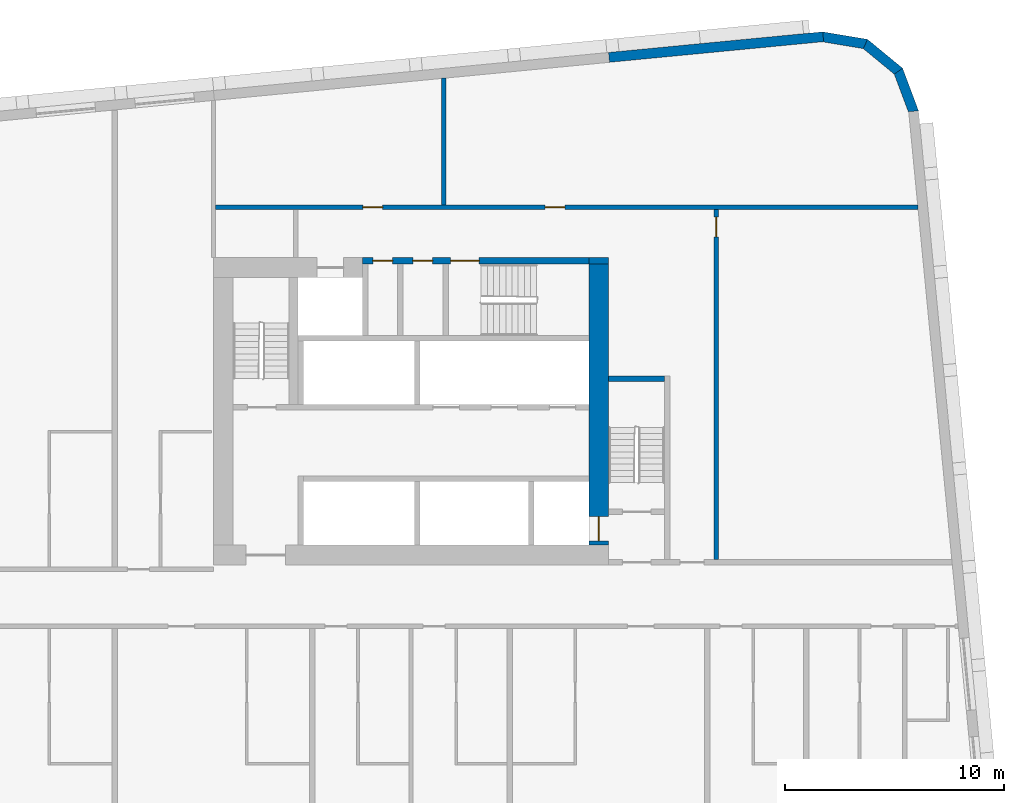
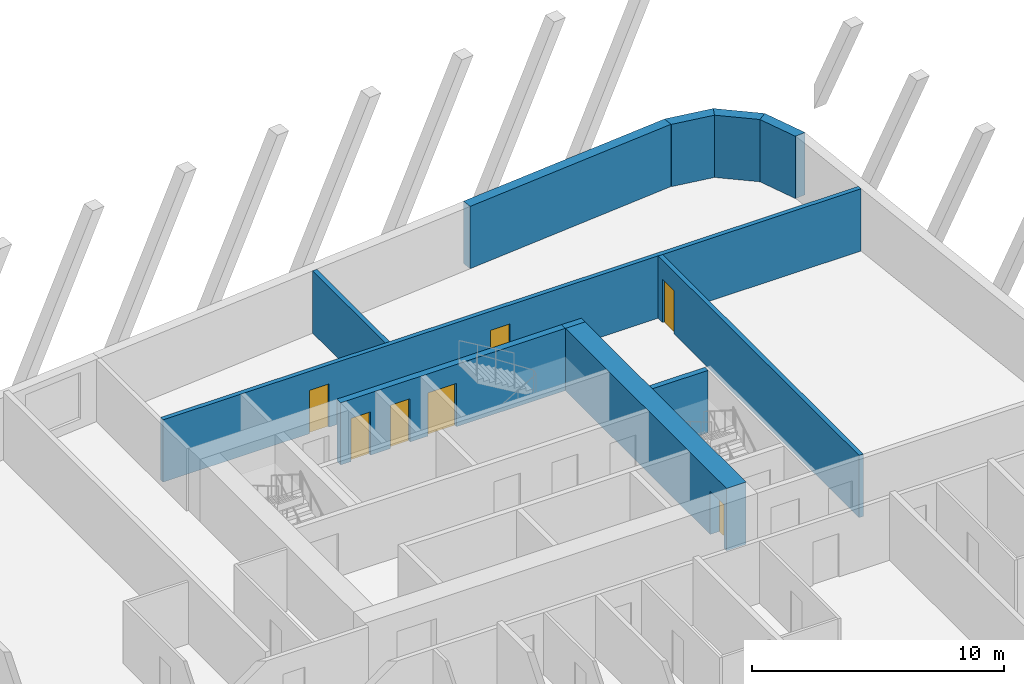
# One storey, part 8 of 13: 11 walls, 7 doors, 7 openings.
"""IFC4 building model written with IfcOpenShell, lengths in metres."""

from ifc_helpers import new_model, si_unit, direction, frame, frame_2d, origin, place, context, subcontext, project, spatial, polyline, rectangle, outline, extrude, material, layer, layer_set, type_object, element, fill, save


model = new_model("IFC4")

# Units and contexts
model_context = context("Model", 3, precision=1e-05, world=origin(), true_north=direction((0.0, 1.0)))
body_context = subcontext(model_context, "Body", "Model", "MODEL_VIEW")
ifc_project = project(units=[si_unit("LENGTHUNIT", "METRE"), si_unit("AREAUNIT", "SQUARE_METRE"), si_unit("VOLUMEUNIT", "CUBIC_METRE"), si_unit("PLANEANGLEUNIT", "RADIAN"), si_unit("MASSUNIT", "GRAM", prefix="KILO")], contexts=[model_context])

# Site, building, storey
site_placement = place(None, origin())
site = spatial("IfcSite", under=ifc_project, at=site_placement, CompositionType="ELEMENT")
building_placement = place(site_placement, origin())
building = spatial("IfcBuilding", under=site, at=building_placement, Name="Kajstack Hotel Tower", CompositionType="ELEMENT")
storey_placement = place(building_placement, frame((0.0, 0.0, 140.5)))
storey = spatial("IfcBuildingStorey", under=building, at=storey_placement, Name="L32", CompositionType="ELEMENT", Elevation=140.5)

# Wall
ifc_material_1 = material(Name="Concrete C60/75", Category="concrete")
ifc_layer_1 = layer(ifc_material_1, 0.89990234375)
ifc_layer_set_1 = layer_set([ifc_layer_1], Name="Core wall 900")
wall_type_1 = type_object("IfcWallType", Name="Core wall 900", PredefinedType="SHEAR", material=ifc_layer_set_1)
wall_1_placement = place(storey_placement, frame((30.60009765625, 15.35009765625, 0.0), z_axis=(0.0, 0.0, 1.0), x_axis=(1.0, 0.0, 0.0)))
element("IfcWall", 1, at=wall_1_placement, inside=storey, type_object=wall_type_1, Name="Core wall E RSW", PredefinedType="SHEAR", context=body_context, shape_type="SweptSolid", body=[
    extrude(rectangle(XDim=0.89990234375, YDim=0.300048828125, at=frame_2d((0.449951171875, 0.0))), origin(), (0.0, 0.0, 1.0), 3.02001953125),
])

# Wall, opening, door
wall_2_placement = place(storey_placement, frame((31.050048828125, 2.39990234375, 0.0), z_axis=(0.0, 0.0, 1.0), x_axis=(0.0, 1.0, 0.0)))
wall_2 = element("IfcWall", 2, at=wall_2_placement, inside=storey, type_object=wall_type_1, Name="Core wall E RW", PredefinedType="SHEAR", context=body_context, shape_type="SweptSolid", body=[
    extrude(rectangle(XDim=12.800048828125, YDim=0.89990234375, at=frame_2d((6.39990234375, 0.0))), origin(), (0.0, 0.0, 1.0), 3.02001953125),
])
opening_1_placement = place(wall_2_placement, frame((0.199951171875, 0.0, 0.0)))
opening_1 = element("IfcOpeningElement", 3, at=opening_1_placement, cuts=wall_2, Name="Opening LD-FF2", PredefinedType="OPENING", context=body_context, shape_type="SweptSolid", body=[
    extrude(rectangle(XDim=1.10009765625, YDim=2.10009765625, at=frame_2d((0.550048828125, 1.050048828125))), frame((0.0, 0.4599609375, 0.0), z_axis=(0.0, -1.0, 0.0), x_axis=(1.0, 0.0, 0.0)), (0.0, 0.0, 1.0), 0.919921875),
])
ifc_material_2 = material(Name="Stainless steel", Category="steel")
door_type_1 = type_object("IfcDoorType", Name="Fire-fighting lift landing door 1100", OperationType="SLIDING_TO_LEFT", PredefinedType="DOOR", material=ifc_material_2)
door_1_placement = place(opening_1_placement, origin())
door_1 = element("IfcDoor", 4, at=door_1_placement, inside=storey, type_object=door_type_1, Name="Landing door FF2", OperationType="SLIDING_TO_LEFT", OverallHeight=2.10009765625, OverallWidth=1.10009765625, PredefinedType="DOOR", context=body_context, shape_type="SweptSolid", body=[
    extrude(rectangle(XDim=1.10009765625, YDim=2.10009765625, at=frame_2d((0.550048828125, 1.050048828125))), frame((0.0, 0.02490234375, 0.0), z_axis=(0.0, -1.0, 0.0), x_axis=(1.0, 0.0, 0.0)), (0.0, 0.0, 1.0), 0.050048828125),
])
fill(opening_1, door_1)

# Walls
ifc_material_3 = material(Name="Terracotta-faced brick masonry", Category="masonry")
ifc_layer_2 = layer(ifc_material_3, 0.449951171875)
ifc_layer_set_2 = layer_set([ifc_layer_2], Name="EW-TERRA")
wall_type_2 = type_object("IfcWallType", Name="EW-TERRA", PredefinedType="SOLIDWALL", material=ifc_layer_set_2)
wall_3_placement = place(storey_placement, frame((45.41162109375, 22.10986328125, 0.0), z_axis=(0.0, 0.0, 1.0), x_axis=(-0.350192909346, 0.936677599948, 0.0)))
element("IfcWall", 5, at=wall_3_placement, inside=storey, type_object=wall_type_2, Name="E-wall-L32-09-00", PredefinedType="SOLIDWALL", context=body_context, shape_type="SweptSolid", body=[
    extrude(outline(polyline([(0.0, -0.22509765625), (2.070556640625, -0.22509765625), (1.949951171875, 0.224853515625), (0.12060546875, 0.224853515625), (0.0, -0.22509765625)])), origin(), (0.0, 0.0, 1.0), 3.02001953125),
])
wall_4_placement = place(storey_placement, frame((44.754150390625, 23.95458984375, 0.0), z_axis=(0.0, 0.0, 1.0), x_axis=(-0.771651049663, 0.636046112757, 0.0)))
element("IfcWall", 6, at=wall_4_placement, inside=storey, type_object=wall_type_2, Name="E-wall-L32-10-00", PredefinedType="SOLIDWALL", context=body_context, shape_type="SweptSolid", body=[
    extrude(outline(polyline([(0.0, -0.22509765625), (2.070556640625, -0.22509765625), (1.949951171875, 0.224853515625), (0.12060546875, 0.22509765625), (0.0, -0.22509765625)])), origin(), (0.0, 0.0, 1.0), 3.02001953125),
])
wall_5_placement = place(storey_placement, frame((43.262451171875, 25.223388671875, 0.0), z_axis=(0.0, 0.0, 1.0), x_axis=(-0.986298144721, 0.164972633245, 0.0)))
element("IfcWall", 7, at=wall_5_placement, inside=storey, type_object=wall_type_2, Name="E-wall-L32-11-00", PredefinedType="SOLIDWALL", context=body_context, shape_type="SweptSolid", body=[
    extrude(outline(polyline([(0.0, -0.224853515625), (2.070556640625, -0.22509765625), (1.949951171875, 0.22509765625), (0.12060546875, 0.22509765625), (0.0, -0.224853515625)])), origin(), (0.0, 0.0, 1.0), 3.02001953125),
])
wall_6_placement = place(storey_placement, frame((41.279052734375, 25.56298828125, 0.0), z_axis=(0.0, 0.0, 1.0), x_axis=(-0.995394735506, -0.095860943703, 0.0)))
element("IfcWall", 8, at=wall_6_placement, inside=storey, type_object=wall_type_2, Name="E-wall-L32-12-00", PredefinedType="SOLIDWALL", context=body_context, shape_type="SweptSolid", body=[
    extrude(rectangle(XDim=9.802734375, YDim=0.449951171875, at=frame_2d((4.9013671875, 0.0))), origin(), (0.0, 0.0, 1.0), 3.02001953125),
])

# Wall, opening, door
ifc_material_4 = material(Name="Gypsum board on steel studs, mineral wool", Category="steel")
ifc_layer_3 = layer(ifc_material_4, 0.199951171875)
ifc_layer_set_3 = layer_set([ifc_layer_3], Name="Service partition 200")
wall_type_3 = type_object("IfcWallType", Name="Service partition 200", PredefinedType="PARTITIONING", material=ifc_layer_set_3)
wall_7_placement = place(storey_placement, frame((36.39990234375, 1.75, 0.0), z_axis=(0.0, 0.0, 1.0), x_axis=(0.0, 1.0, 0.0)))
wall_7 = element("IfcWall", 9, at=wall_7_placement, inside=storey, type_object=wall_type_3, Name="Partition E WRE", PredefinedType="PARTITIONING", context=body_context, shape_type="SweptSolid", body=[
    extrude(rectangle(XDim=15.949951171875, YDim=0.199951171875, at=frame_2d((7.97509765625, 0.0))), origin(), (0.0, 0.0, 1.0), 3.02001953125),
])
opening_2_placement = place(wall_7_placement, frame((14.699951171875, 0.0, 0.0)))
opening_2 = element("IfcOpeningElement", 10, at=opening_2_placement, cuts=wall_7, Name="Opening 32E16", PredefinedType="OPENING", context=body_context, shape_type="SweptSolid", body=[
    extrude(rectangle(XDim=0.89990234375, YDim=2.10009765625, at=frame_2d((0.449951171875, 1.050048828125))), frame((0.0, 0.10986328125, 0.0), z_axis=(0.0, -1.0, 0.0), x_axis=(1.0, 0.0, 0.0)), (0.0, 0.0, 1.0), 0.219970703125),
])
ifc_material_5 = material(Name="Timber leaf, fire-rated", Category="wood")
door_type_2 = type_object("IfcDoorType", Name="Service door 900", OperationType="SINGLE_SWING_LEFT", PredefinedType="DOOR", material=ifc_material_5)
door_2_placement = place(opening_2_placement, origin())
door_2 = element("IfcDoor", 11, at=door_2_placement, inside=storey, type_object=door_type_2, Name="Door 32E16", OperationType="SINGLE_SWING_RIGHT", OverallHeight=2.10009765625, OverallWidth=0.89990234375, PredefinedType="DOOR", context=body_context, shape_type="SweptSolid", body=[
    extrude(rectangle(XDim=0.89990234375, YDim=2.10009765625, at=frame_2d((0.449951171875, 1.050048828125))), frame((0.0, 0.02490234375, 0.0), z_axis=(0.0, -1.0, 0.0), x_axis=(1.0, 0.0, 0.0)), (0.0, 0.0, 1.0), 0.050048828125),
])
fill(opening_2, door_2)

# Wall, openings, doors
wall_8_placement = place(storey_placement, frame((13.60009765625, 17.800048828125, 0.0), z_axis=(0.0, 0.0, 1.0), x_axis=(1.0, 0.0, 0.0)))
wall_8 = element("IfcWall", 12, at=wall_8_placement, inside=storey, type_object=wall_type_3, Name="Partition E SLN", PredefinedType="PARTITIONING", context=body_context, shape_type="SweptSolid", body=[
    extrude(rectangle(XDim=31.992919921875, YDim=0.199951171875, at=frame_2d((15.99658203125, 0.0))), origin(), (0.0, 0.0, 1.0), 3.02001953125),
])
opening_3_placement = place(wall_8_placement, frame((15.012451171875, 0.0, 0.0)))
opening_3 = element("IfcOpeningElement", 13, at=opening_3_placement, cuts=wall_8, Name="Opening 32E14", PredefinedType="OPENING", context=body_context, shape_type="SweptSolid", body=[
    extrude(rectangle(XDim=0.89990234375, YDim=2.10009765625, at=frame_2d((0.449951171875, 1.050048828125))), frame((0.0, 0.10986328125, 0.0), z_axis=(0.0, -1.0, 0.0), x_axis=(1.0, 0.0, 0.0)), (0.0, 0.0, 1.0), 0.219970703125),
])
opening_4_placement = place(wall_8_placement, frame((6.71240234375, 0.0, 0.0)))
opening_4 = element("IfcOpeningElement", 14, at=opening_4_placement, cuts=wall_8, Name="Opening 32E15", PredefinedType="OPENING", context=body_context, shape_type="SweptSolid", body=[
    extrude(rectangle(XDim=0.89990234375, YDim=2.10009765625, at=frame_2d((0.449951171875, 1.050048828125))), frame((0.0, 0.10986328125, 0.0), z_axis=(0.0, -1.0, 0.0), x_axis=(1.0, 0.0, 0.0)), (0.0, 0.0, 1.0), 0.219970703125),
])
door_3_placement = place(opening_3_placement, origin())
door_3 = element("IfcDoor", 15, at=door_3_placement, inside=storey, type_object=door_type_2, Name="Door 32E14", OperationType="SINGLE_SWING_LEFT", OverallHeight=2.10009765625, OverallWidth=0.89990234375, PredefinedType="DOOR", context=body_context, shape_type="SweptSolid", body=[
    extrude(rectangle(XDim=0.89990234375, YDim=2.10009765625, at=frame_2d((0.449951171875, 1.050048828125))), frame((0.0, 0.02490234375, 0.0), z_axis=(0.0, -1.0, 0.0), x_axis=(1.0, 0.0, 0.0)), (0.0, 0.0, 1.0), 0.050048828125),
])
fill(opening_3, door_3)
door_4_placement = place(opening_4_placement, origin())
door_4 = element("IfcDoor", 16, at=door_4_placement, inside=storey, type_object=door_type_2, Name="Door 32E15", OperationType="SINGLE_SWING_LEFT", OverallHeight=2.10009765625, OverallWidth=0.89990234375, PredefinedType="DOOR", context=body_context, shape_type="SweptSolid", body=[
    extrude(rectangle(XDim=0.89990234375, YDim=2.10009765625, at=frame_2d((0.449951171875, 1.050048828125))), frame((0.0, 0.02490234375, 0.0), z_axis=(0.0, -1.0, 0.0), x_axis=(1.0, 0.0, 0.0)), (0.0, 0.0, 1.0), 0.050048828125),
])
fill(opening_4, door_4)

# Wall
wall_9_placement = place(storey_placement, frame((24.0, 17.89990234375, 0.0), z_axis=(0.0, 0.0, 1.0), x_axis=(0.0, 1.0, 0.0)))
element("IfcWall", 17, at=wall_9_placement, inside=storey, type_object=wall_type_3, Name="Partition E SLP0", PredefinedType="PARTITIONING", context=body_context, shape_type="SweptSolid", body=[
    extrude(rectangle(XDim=5.774169921875, YDim=0.199951171875, at=frame_2d((2.88720703125, 0.0))), origin(), (0.0, 0.0, 1.0), 3.02001953125),
])

# Wall, openings, doors
ifc_material_6 = material(Name="Concrete C50/60", Category="concrete")
ifc_layer_4 = layer(ifc_material_6, 0.25)
ifc_layer_set_4 = layer_set([ifc_layer_4], Name="Shaft wall 250")
wall_type_4 = type_object("IfcWallType", Name="Shaft wall 250", PredefinedType="SHEAR", material=ifc_layer_set_4)
wall_10_placement = place(storey_placement, frame((20.300048828125, 15.35009765625, 0.0), z_axis=(0.0, 0.0, 1.0), x_axis=(1.0, 0.0, 0.0)))
wall_10 = element("IfcWall", 18, at=wall_10_placement, inside=storey, type_object=wall_type_4, Name="Core wall E RSS", PredefinedType="SHEAR", context=body_context, shape_type="SweptSolid", body=[
    extrude(rectangle(XDim=10.300048828125, YDim=0.300048828125, at=frame_2d((5.14990234375, 0.0))), origin(), (0.0, 0.0, 1.0), 3.02001953125),
])
opening_5_placement = place(wall_10_placement, frame((4.0, 0.0, 0.0)))
opening_5 = element("IfcOpeningElement", 19, at=opening_5_placement, cuts=wall_10, Name="Opening 32E11", PredefinedType="OPENING", context=body_context, shape_type="SweptSolid", body=[
    extrude(rectangle(XDim=1.300048828125, YDim=2.10009765625, at=frame_2d((0.64990234375, 1.050048828125))), frame((0.0, 0.159912109375, 0.0), z_axis=(0.0, -1.0, 0.0), x_axis=(1.0, 0.0, 0.0)), (0.0, 0.0, 1.0), 0.320068359375),
])
opening_6_placement = place(wall_10_placement, frame((2.28759765625, 0.0, 0.0)))
opening_6 = element("IfcOpeningElement", 20, at=opening_6_placement, cuts=wall_10, Name="Opening 32E12", PredefinedType="OPENING", context=body_context, shape_type="SweptSolid", body=[
    extrude(rectangle(XDim=0.89990234375, YDim=2.10009765625, at=frame_2d((0.449951171875, 1.050048828125))), frame((0.0, 0.159912109375, 0.0), z_axis=(0.0, -1.0, 0.0), x_axis=(1.0, 0.0, 0.0)), (0.0, 0.0, 1.0), 0.320068359375),
])
opening_7_placement = place(wall_10_placement, frame((0.46240234375, 0.0, 0.0)))
opening_7 = element("IfcOpeningElement", 21, at=opening_7_placement, cuts=wall_10, Name="Opening 32E13", PredefinedType="OPENING", context=body_context, shape_type="SweptSolid", body=[
    extrude(rectangle(XDim=0.89990234375, YDim=2.10009765625, at=frame_2d((0.449951171875, 1.050048828125))), frame((0.0, 0.159912109375, 0.0), z_axis=(0.0, -1.0, 0.0), x_axis=(1.0, 0.0, 0.0)), (0.0, 0.0, 1.0), 0.320068359375),
])
door_5_placement = place(opening_6_placement, origin())
door_5 = element("IfcDoor", 22, at=door_5_placement, inside=storey, type_object=door_type_2, Name="Door 32E12", OperationType="SINGLE_SWING_RIGHT", OverallHeight=2.10009765625, OverallWidth=0.89990234375, PredefinedType="DOOR", context=body_context, shape_type="SweptSolid", body=[
    extrude(rectangle(XDim=0.89990234375, YDim=2.10009765625, at=frame_2d((0.449951171875, 1.050048828125))), frame((0.0, 0.02490234375, 0.0), z_axis=(0.0, -1.0, 0.0), x_axis=(1.0, 0.0, 0.0)), (0.0, 0.0, 1.0), 0.050048828125),
])
fill(opening_6, door_5)
door_6_placement = place(opening_7_placement, origin())
door_6 = element("IfcDoor", 23, at=door_6_placement, inside=storey, type_object=door_type_2, Name="Door 32E13", OperationType="SINGLE_SWING_RIGHT", OverallHeight=2.10009765625, OverallWidth=0.89990234375, PredefinedType="DOOR", context=body_context, shape_type="SweptSolid", body=[
    extrude(rectangle(XDim=0.89990234375, YDim=2.10009765625, at=frame_2d((0.449951171875, 1.050048828125))), frame((0.0, 0.02490234375, 0.0), z_axis=(0.0, -1.0, 0.0), x_axis=(1.0, 0.0, 0.0)), (0.0, 0.0, 1.0), 0.050048828125),
])
fill(opening_7, door_6)
ifc_material_7 = material(Name="Steel leaf, fire-rated", Category="steel")
door_type_3 = type_object("IfcDoorType", Name="Stair door 1300", OperationType="SINGLE_SWING_LEFT", PredefinedType="DOOR", material=ifc_material_7)
door_7_placement = place(opening_5_placement, origin())
door_7 = element("IfcDoor", 24, at=door_7_placement, inside=storey, type_object=door_type_3, Name="Door 32E11", OperationType="SINGLE_SWING_LEFT", OverallHeight=2.10009765625, OverallWidth=1.300048828125, PredefinedType="DOOR", context=body_context, shape_type="SweptSolid", body=[
    extrude(rectangle(XDim=1.300048828125, YDim=2.10009765625, at=frame_2d((0.64990234375, 1.050048828125))), frame((0.0, 0.02490234375, 0.0), z_axis=(0.0, -1.0, 0.0), x_axis=(1.0, 0.0, 0.0)), (0.0, 0.0, 1.0), 0.050048828125),
])
fill(opening_5, door_7)

# Wall
ifc_material_8 = material(Name="Concrete C40/50", Category="concrete")
ifc_layer_5 = layer(ifc_material_8, 0.25)
ifc_layer_set_5 = layer_set([ifc_layer_5], Name="Stair enclosure wall 250")
wall_type_5 = type_object("IfcWallType", Name="Stair enclosure wall 250", PredefinedType="SHEAR", material=ifc_layer_set_5)
wall_11_placement = place(storey_placement, frame((31.5, 9.97509765625, 0.0), z_axis=(0.0, 0.0, 1.0), x_axis=(1.0, 0.0, 0.0)))
element("IfcWall", 25, at=wall_11_placement, inside=storey, type_object=wall_type_5, Name="Core wall E W1S", PredefinedType="SHEAR", context=body_context, shape_type="SweptSolid", body=[
    extrude(rectangle(XDim=2.550048828125, YDim=0.25, at=frame_2d((1.27490234375, 0.0))), origin(), (0.0, 0.0, 1.0), 3.02001953125),
])

save(model, "model.ifc")
